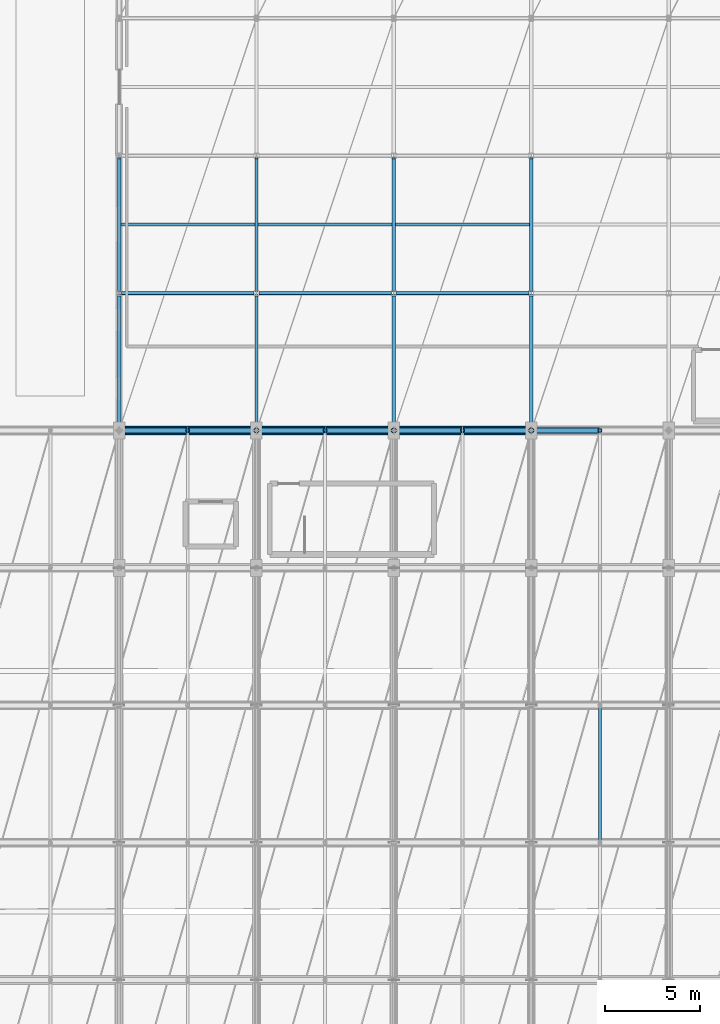
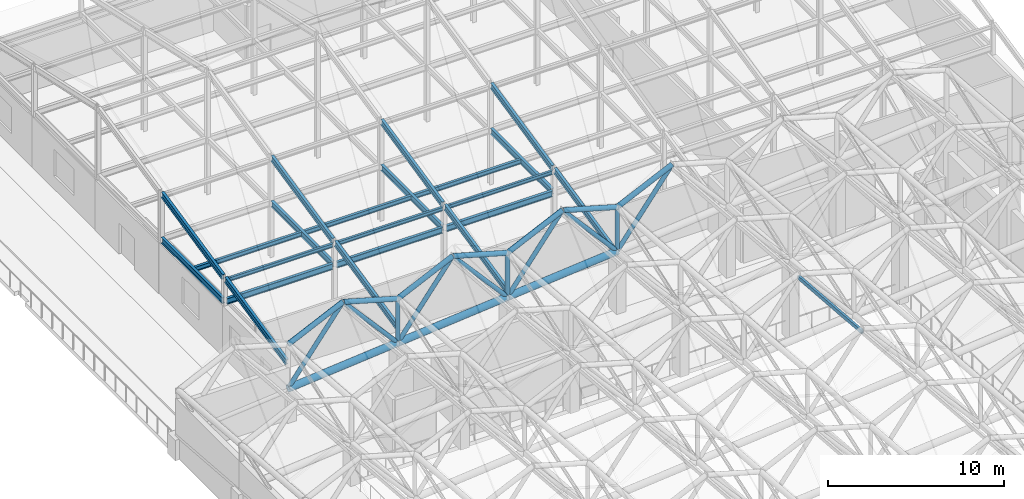
# One storey, part 25 of 113: 24 members, 18 beams.
"""IFC4 building model written with IfcOpenShell, lengths in metres."""

from ifc_helpers import new_model, si_unit, direction, frame, origin, origin_2d, place, context, subcontext, project, spatial, hollow_rectangle, hollow_circle, i_section, extrude, material, material_profile, profile_set, type_object, element, save


model = new_model("IFC4")

# Units and contexts
model_context = context("Model", 3, precision=1e-05, world=origin(), true_north=direction((0.0, 1.0)))
body_context = subcontext(model_context, "Body", "Model", "MODEL_VIEW")
ifc_project = project(units=[si_unit("LENGTHUNIT", "METRE"), si_unit("AREAUNIT", "SQUARE_METRE"), si_unit("VOLUMEUNIT", "CUBIC_METRE"), si_unit("PLANEANGLEUNIT", "RADIAN"), si_unit("MASSUNIT", "GRAM", prefix="KILO")], contexts=[model_context])

# Site, building, storey
site_placement = place(None, origin())
site = spatial("IfcSite", under=ifc_project, at=site_placement, CompositionType="ELEMENT")
building_placement = place(site_placement, origin())
building = spatial("IfcBuilding", under=site, at=building_placement, Name="Carrowvane Square Congress Hotel", CompositionType="ELEMENT")
storey_placement = place(building_placement, frame((0.0, 0.0, 15.0)))
storey = spatial("IfcBuildingStorey", under=building, at=storey_placement, Name="L03", CompositionType="ELEMENT", Elevation=15.0)

# Beams
ifc_material_1 = material(Name="Steel S355", Category="steel")
ifc_material_profile_1 = material_profile(ifc_material_1, i_section(OverallWidth=0.165771484375, OverallDepth=0.306640625, WebThickness=0.006591796875, FlangeThickness=0.01171875, FilletRadius=0.0087890625, at=origin_2d()), Name="UKB 305x165x46")
ifc_profile_set_1 = profile_set([ifc_material_profile_1], Name="Steel S355")
beam_type_1 = type_object("IfcBeamType", Name="BM-ST-UKB305", PredefinedType="JOIST", material=ifc_profile_set_1)
for number, where, z_axis, x_axis, name in (
    (1, (18.889404296875, 66.60009765625, 3.78662109375), (1.0, 0.0, 0.0), (0.0, 1.0, 0.0), "L04 secondary joist 2-3"),
    (2, (26.08935546875, 66.60009765625, 3.78662109375), (1.0, 0.0, 0.0), (0.0, 1.0, 0.0), "L04 secondary joist 3-4"),
    (3, (33.289306640625, 66.60009765625, 3.78662109375), (1.0, 0.0, 0.0), (0.0, 1.0, 0.0), "L04 secondary joist 4-5"),
):
    element("IfcBeam", number, at=place(storey_placement, frame(where, z_axis=z_axis, x_axis=x_axis)), inside=storey, type_object=beam_type_1, Name=name, PredefinedType="JOIST", context=body_context, shape_type="SweptSolid", body=[
        extrude(i_section(OverallWidth=0.165771484375, OverallDepth=0.306640625, WebThickness=0.006591796875, FlangeThickness=0.01171875, FilletRadius=0.0087890625, at=origin_2d()), origin(), (0.0, 0.0, 1.0), 7.021240234375),
    ])
ifc_material_2 = material(Name="Steel S355", Category="steel")
ifc_material_profile_2 = material_profile(ifc_material_2, i_section(OverallWidth=0.1787109375, OverallDepth=0.409423828125, WebThickness=0.0087890625, FlangeThickness=0.014404296875, FilletRadius=0.01025390625, at=origin_2d()), Name="UKB 406x178x67")
ifc_profile_set_2 = profile_set([ifc_material_profile_2], Name="Steel S355")
beam_type_2 = type_object("IfcBeamType", Name="BM-ST-UKB406", PredefinedType="BEAM", material=ifc_profile_set_2)
for number, where, z_axis, x_axis, name in (
    (4, (18.92822265625, 63.0, 3.7353515625), (1.0, 0.0, 0.0), (0.0, 1.0, 0.0), "L04 girder J/2-3"),
    (5, (26.128173828125, 63.0, 3.7353515625), (1.0, 0.0, 0.0), (0.0, 1.0, 0.0), "L04 girder J/3-4"),
    (6, (33.328125, 63.0, 3.7353515625), (1.0, 0.0, 0.0), (0.0, 1.0, 0.0), "L04 girder J/4-5"),
):
    element("IfcBeam", number, at=place(storey_placement, frame(where, z_axis=z_axis, x_axis=x_axis)), inside=storey, type_object=beam_type_2, Name=name, PredefinedType="BEAM", context=body_context, shape_type="SweptSolid", body=[
        extrude(i_section(OverallWidth=0.1787109375, OverallDepth=0.409423828125, WebThickness=0.0087890625, FlangeThickness=0.014404296875, FilletRadius=0.01025390625, at=origin_2d()), origin(), (0.0, 0.0, 1.0), 6.943603515625),
    ])
for number, where, z_axis, x_axis, name in (
    (7, (18.800048828125, 63.130126953125, 3.7353515625), (0.0, 1.0, 0.0), (-1.0, 0.0, 0.0), "L04 girder 2/J-K"),
    (8, (26.0, 63.130126953125, 3.7353515625), (0.0, 1.0, 0.0), (-1.0, 0.0, 0.0), "L04 girder 3/J-K"),
    (9, (33.199951171875, 63.130126953125, 3.7353515625), (0.0, 1.0, 0.0), (-1.0, 0.0, 0.0), "L04 girder 4/J-K"),
    (10, (40.39990234375, 63.130126953125, 3.7353515625), (0.0, 1.0, 0.0), (-1.0, 0.0, 0.0), "L04 girder 5/J-K"),
):
    element("IfcBeam", number, at=place(storey_placement, frame(where, z_axis=z_axis, x_axis=x_axis)), inside=storey, type_object=beam_type_2, Name=name, PredefinedType="BEAM", context=body_context, shape_type="SweptSolid", body=[
        extrude(i_section(OverallWidth=0.1787109375, OverallDepth=0.409423828125, WebThickness=0.0087890625, FlangeThickness=0.014404296875, FilletRadius=0.01025390625, at=origin_2d()), origin(), (0.0, 0.0, 1.0), 6.939697265625),
    ])
for number, where, z_axis, x_axis, name in (
    (11, (18.800048828125, 55.919921875, 3.840087890625), (0.0, 0.976671490173, 0.214738911899), (-1.0, 0.0, 0.0), "Spa lantern rafter 1.1"),
    (12, (18.800048828125, 63.1201171875, 5.370361328125), (0.0, 0.976664304443, 0.214771591292), (-1.0, 0.0, 0.0), "Spa lantern rafter 1.2"),
    (13, (26.0, 55.919921875, 3.840087890625), (0.0, 0.976671490173, 0.214738911899), (-1.0, 0.0, 0.0), "Spa lantern rafter 2.1"),
    (14, (26.0, 63.1201171875, 5.370361328125), (0.0, 0.976664304443, 0.214771591292), (-1.0, 0.0, 0.0), "Spa lantern rafter 2.2"),
    (15, (33.199951171875, 55.919921875, 3.840087890625), (0.0, 0.976671490173, 0.214738911899), (-1.0, 0.0, 0.0), "Spa lantern rafter 3.1"),
    (16, (33.199951171875, 63.1201171875, 5.370361328125), (0.0, 0.976664304443, 0.214771591292), (-1.0, 0.0, 0.0), "Spa lantern rafter 3.2"),
    (17, (40.39990234375, 55.919921875, 3.840087890625), (0.0, 0.976671490173, 0.214738911899), (-1.0, 0.0, 0.0), "Spa lantern rafter 4.1"),
    (18, (40.39990234375, 63.1201171875, 5.370361328125), (0.0, 0.976664304443, 0.214771591292), (-1.0, 0.0, 0.0), "Spa lantern rafter 4.2"),
):
    element("IfcBeam", number, at=place(storey_placement, frame(where, z_axis=z_axis, x_axis=x_axis)), inside=storey, type_object=beam_type_2, Name=name, PredefinedType="BEAM", context=body_context, shape_type="SweptSolid", body=[
        extrude(i_section(OverallWidth=0.1787109375, OverallDepth=0.409423828125, WebThickness=0.0087890625, FlangeThickness=0.014404296875, FilletRadius=0.01025390625, at=origin_2d()), origin(), (0.0, 0.0, 1.0), 7.126220703125),
    ])

# Members
ifc_material_3 = material(Name="Steel S355", Category="steel")
ifc_material_profile_3 = material_profile(ifc_material_3, hollow_rectangle(XDim=0.14990234375, YDim=0.25, WallThickness=0.012451171875, at=origin_2d()), Name="RHS 250x150x12.5")
ifc_profile_set_3 = profile_set([ifc_material_profile_3], Name="Steel S355")
member_type_1 = type_object("IfcMemberType", Name="MEM-PR-RHS250", PredefinedType="PURLIN", material=ifc_profile_set_3)
member_1_placement = place(storey_placement, frame((44.0, 34.199951171875, 10.281494140625), z_axis=(0.0, 0.996864207606, -0.079131230206), x_axis=(-1.0, 0.0, 0.0)))
element("IfcMember", 19, at=member_1_placement, inside=storey, type_object=member_type_1, Name="Space-frame ridge purlin 481", PredefinedType="PURLIN", context=body_context, shape_type="SweptSolid", body=[
    extrude(hollow_rectangle(XDim=0.14990234375, YDim=0.25, WallThickness=0.012451171875, at=origin_2d()), origin(), (0.0, 0.0, 1.0), 7.22265625),
])
ifc_material_4 = material(Name="Steel S355", Category="steel")
ifc_material_profile_4 = material_profile(ifc_material_4, i_section(OverallWidth=0.146484375, OverallDepth=0.256103515625, WebThickness=0.00634765625, FlangeThickness=0.010986328125, FilletRadius=0.007568359375, at=origin_2d()), Name="UKB 254x146x37")
ifc_profile_set_4 = profile_set([ifc_material_profile_4], Name="Steel S355")
member_type_2 = type_object("IfcMemberType", Name="MEM-PR-UKB254", PredefinedType="PURLIN", material=ifc_profile_set_4)
for number, where, z_axis, x_axis, name in (
    (20, (18.919921875, 63.0, 5.1904296875), (1.0, 0.0, 0.0), (0.0, 1.0, 0.0), "Spa roof purlin 1.1"),
    (21, (26.1201171875, 63.0, 5.1904296875), (1.0, 0.0, 0.0), (0.0, 1.0, 0.0), "Spa roof purlin 1.2"),
    (22, (33.320068359375, 63.0, 5.1904296875), (1.0, 0.0, 0.0), (0.0, 1.0, 0.0), "Spa roof purlin 1.3"),
):
    element("IfcMember", number, at=place(storey_placement, frame(where, z_axis=z_axis, x_axis=x_axis)), inside=storey, type_object=member_type_2, Name=name, PredefinedType="PURLIN", context=body_context, shape_type="SweptSolid", body=[
        extrude(i_section(OverallWidth=0.146484375, OverallDepth=0.256103515625, WebThickness=0.00634765625, FlangeThickness=0.010986328125, FilletRadius=0.007568359375, at=origin_2d()), origin(), (0.0, 0.0, 1.0), 6.9599609375),
    ])
ifc_material_5 = material(Name="Steel S355", Category="steel")
ifc_material_profile_5 = material_profile(ifc_material_5, hollow_circle(Radius=0.136474609375, WallThickness=0.01611328125, at=origin_2d()), Name="CHS 273.0x16")
ifc_profile_set_5 = profile_set([ifc_material_profile_5], Name="Steel S355")
member_type_3 = type_object("IfcMemberType", Name="MEM-ST-CHS273", PredefinedType="STRUT", material=ifc_profile_set_5)
member_2_placement = place(storey_placement, frame((26.0, 55.800048828125, 2.734375), z_axis=(0.0, 0.0, 1.0), x_axis=(1.0, 0.0, 0.0)))
element("IfcMember", 23, at=member_2_placement, inside=storey, type_object=member_type_3, Name="Space-frame vertical post 521", PredefinedType="STRUT", context=body_context, shape_type="SweptSolid", body=[
    extrude(hollow_circle(Radius=0.136474609375, WallThickness=0.01611328125, at=origin_2d()), origin(), (0.0, 0.0, 1.0), 3.0498046875),
])
for number, where, z_axis, x_axis, name in (
    (24, (33.199951171875, 55.800048828125, 3.391357421875), (0.0, 0.0, 1.0), (1.0, 0.0, 0.0), "Space-frame vertical post 529"),
    (25, (40.39990234375, 55.800048828125, 4.048583984375), (0.0, 0.0, 1.0), (1.0, 0.0, 0.0), "Space-frame vertical post 537"),
):
    element("IfcMember", number, at=place(storey_placement, frame(where, z_axis=z_axis, x_axis=x_axis)), inside=storey, type_object=member_type_3, Name=name, PredefinedType="STRUT", context=body_context, shape_type="SweptSolid", body=[
        extrude(hollow_circle(Radius=0.136474609375, WallThickness=0.01611328125, at=origin_2d()), origin(), (0.0, 0.0, 1.0), 3.050048828125),
    ])
ifc_material_6 = material(Name="Steel S355", Category="steel")
ifc_material_profile_6 = material_profile(ifc_material_6, hollow_circle(Radius=0.161865234375, WallThickness=0.01611328125, at=origin_2d()), Name="CHS 323.9x16")
ifc_profile_set_6 = profile_set([ifc_material_profile_6], Name="Steel S355")
member_type_4 = type_object("IfcMemberType", Name="MEM-TC-CHS324", PredefinedType="CHORD", material=ifc_profile_set_6)
member_3_placement = place(storey_placement, frame((18.800048828125, 55.800048828125, 5.127197265625), z_axis=(0.905357886231, 0.0, 0.424649382243), x_axis=(0.0, 1.0, 0.0)))
element("IfcMember", 26, at=member_3_placement, inside=storey, type_object=member_type_4, Name="Space-frame folded top chord 420", PredefinedType="CHORD", context=body_context, shape_type="SweptSolid", body=[
    extrude(hollow_circle(Radius=0.161865234375, WallThickness=0.01611328125, at=origin_2d()), origin(), (0.0, 0.0, 1.0), 3.97607421875),
])
member_4_placement = place(storey_placement, frame((22.39990234375, 55.800048828125, 6.815673828125), z_axis=(0.961319496164, 0.0, -0.275435702651), x_axis=(0.0, 1.0, 0.0)))
element("IfcMember", 27, at=member_4_placement, inside=storey, type_object=member_type_4, Name="Space-frame folded top chord 421", PredefinedType="CHORD", context=body_context, shape_type="SweptSolid", body=[
    extrude(hollow_circle(Radius=0.161865234375, WallThickness=0.01611328125, at=origin_2d()), origin(), (0.0, 0.0, 1.0), 3.744873046875),
])
member_5_placement = place(storey_placement, frame((26.0, 55.800048828125, 5.7841796875), z_axis=(0.905345352914, 0.0, 0.424676102408), x_axis=(0.0, 1.0, 0.0)))
element("IfcMember", 28, at=member_5_placement, inside=storey, type_object=member_type_4, Name="Space-frame folded top chord 425", PredefinedType="CHORD", context=body_context, shape_type="SweptSolid", body=[
    extrude(hollow_circle(Radius=0.161865234375, WallThickness=0.01611328125, at=origin_2d()), origin(), (0.0, 0.0, 1.0), 3.9765625),
])
member_6_placement = place(storey_placement, frame((29.60009765625, 55.800048828125, 7.472900390625), z_axis=(0.961314549928, 0.0, -0.275452965307), x_axis=(0.0, 1.0, 0.0)))
element("IfcMember", 29, at=member_6_placement, inside=storey, type_object=member_type_4, Name="Space-frame folded top chord 426", PredefinedType="CHORD", context=body_context, shape_type="SweptSolid", body=[
    extrude(hollow_circle(Radius=0.161865234375, WallThickness=0.01611328125, at=origin_2d()), origin(), (0.0, 0.0, 1.0), 3.74462890625),
])
member_7_placement = place(storey_placement, frame((33.199951171875, 55.800048828125, 6.44140625), z_axis=(0.905368957574, 0.0, 0.424625777199), x_axis=(0.0, 1.0, 0.0)))
element("IfcMember", 30, at=member_7_placement, inside=storey, type_object=member_type_4, Name="Space-frame folded top chord 430", PredefinedType="CHORD", context=body_context, shape_type="SweptSolid", body=[
    extrude(hollow_circle(Radius=0.161865234375, WallThickness=0.01611328125, at=origin_2d()), origin(), (0.0, 0.0, 1.0), 3.976318359375),
])
member_8_placement = place(storey_placement, frame((36.800048828125, 55.800048828125, 8.1298828125), z_axis=(0.961331812043, 0.0, -0.275392714416), x_axis=(0.0, 1.0, 0.0)))
element("IfcMember", 31, at=member_8_placement, inside=storey, type_object=member_type_4, Name="Space-frame folded top chord 431", PredefinedType="CHORD", context=body_context, shape_type="SweptSolid", body=[
    extrude(hollow_circle(Radius=0.161865234375, WallThickness=0.01611328125, at=origin_2d()), origin(), (0.0, 0.0, 1.0), 3.74462890625),
])
member_9_placement = place(storey_placement, frame((40.39990234375, 55.800048828125, 7.0986328125), z_axis=(0.905368957574, 0.0, 0.424625777199), x_axis=(0.0, 1.0, 0.0)))
element("IfcMember", 32, at=member_9_placement, inside=storey, type_object=member_type_4, Name="Space-frame folded top chord 435", PredefinedType="CHORD", context=body_context, shape_type="SweptSolid", body=[
    extrude(hollow_circle(Radius=0.161865234375, WallThickness=0.01611328125, at=origin_2d()), origin(), (0.0, 0.0, 1.0), 3.976318359375),
])
ifc_material_7 = material(Name="Steel S355", Category="steel")
ifc_material_profile_7 = material_profile(ifc_material_7, hollow_circle(Radius=0.228515625, WallThickness=0.02490234375, at=origin_2d()), Name="CHS 457.0x25")
ifc_profile_set_7 = profile_set([ifc_material_profile_7], Name="Steel S355")
member_type_5 = type_object("IfcMemberType", Name="MEM-TC-CHS457", PredefinedType="CHORD", material=ifc_profile_set_7)
for number, where, z_axis, x_axis, name in (
    (33, (18.800048828125, 55.800048828125, 2.0771484375), (0.995859646859, 0.0, 0.090904145988), (0.0, 1.0, 0.0), "Space-frame cross bottom chord 419"),
    (34, (26.0, 55.800048828125, 2.734375), (0.99586270327, 0.0, 0.090870656624), (0.0, 1.0, 0.0), "Space-frame cross bottom chord 424"),
    (35, (33.199951171875, 55.800048828125, 3.391357421875), (0.995859646859, 0.0, 0.090904145988), (0.0, 1.0, 0.0), "Space-frame cross bottom chord 429"),
):
    element("IfcMember", number, at=place(storey_placement, frame(where, z_axis=z_axis, x_axis=x_axis)), inside=storey, type_object=member_type_5, Name=name, PredefinedType="CHORD", context=body_context, shape_type="SweptSolid", body=[
        extrude(hollow_circle(Radius=0.228515625, WallThickness=0.02490234375, at=origin_2d()), origin(), (0.0, 0.0, 1.0), 7.22998046875),
    ])
ifc_material_8 = material(Name="Steel S355", Category="steel")
ifc_material_profile_8 = material_profile(ifc_material_8, hollow_circle(Radius=0.136474609375, WallThickness=0.01611328125, at=origin_2d()), Name="CHS 273.0x16")
ifc_profile_set_8 = profile_set([ifc_material_profile_8], Name="Steel S355")
member_type_6 = type_object("IfcMemberType", Name="MEM-TD-CHS273", PredefinedType="BRACE", material=ifc_profile_set_8)
member_10_placement = place(storey_placement, frame((18.800048828125, 55.800048828125, 2.0771484375), z_axis=(0.604931384673, 0.0, 0.796277602246), x_axis=(0.0, 1.0, 0.0)))
element("IfcMember", 36, at=member_10_placement, inside=storey, type_object=member_type_6, Name="Space-frame space diagonal 422", PredefinedType="BRACE", context=body_context, shape_type="SweptSolid", body=[
    extrude(hollow_circle(Radius=0.136474609375, WallThickness=0.01611328125, at=origin_2d()), origin(), (0.0, 0.0, 1.0), 5.950927734375),
])
member_11_placement = place(storey_placement, frame((26.0, 55.800048828125, 2.734375), z_axis=(-0.66151331907, 0.0, 0.749933416173), x_axis=(0.0, -1.0, 0.0)))
element("IfcMember", 37, at=member_11_placement, inside=storey, type_object=member_type_6, Name="Space-frame space diagonal 423", PredefinedType="BRACE", context=body_context, shape_type="SweptSolid", body=[
    extrude(hollow_circle(Radius=0.136474609375, WallThickness=0.01611328125, at=origin_2d()), origin(), (0.0, 0.0, 1.0), 5.442138671875),
])
member_12_placement = place(storey_placement, frame((26.0, 55.800048828125, 2.734375), z_axis=(0.604957396698, 0.0, 0.796257840263), x_axis=(0.0, 1.0, 0.0)))
element("IfcMember", 38, at=member_12_placement, inside=storey, type_object=member_type_6, Name="Space-frame space diagonal 427", PredefinedType="BRACE", context=body_context, shape_type="SweptSolid", body=[
    extrude(hollow_circle(Radius=0.136474609375, WallThickness=0.01611328125, at=origin_2d()), origin(), (0.0, 0.0, 1.0), 5.950927734375),
])
member_13_placement = place(storey_placement, frame((33.199951171875, 55.800048828125, 3.391357421875), z_axis=(-0.661465833466, 0.0, 0.749975300365), x_axis=(0.0, -1.0, 0.0)))
element("IfcMember", 39, at=member_13_placement, inside=storey, type_object=member_type_6, Name="Space-frame space diagonal 428", PredefinedType="BRACE", context=body_context, shape_type="SweptSolid", body=[
    extrude(hollow_circle(Radius=0.136474609375, WallThickness=0.01611328125, at=origin_2d()), origin(), (0.0, 0.0, 1.0), 5.442138671875),
])
member_14_placement = place(storey_placement, frame((33.199951171875, 55.800048828125, 3.391357421875), z_axis=(0.604957396698, 0.0, 0.796257840263), x_axis=(0.0, 1.0, 0.0)))
element("IfcMember", 40, at=member_14_placement, inside=storey, type_object=member_type_6, Name="Space-frame space diagonal 432", PredefinedType="BRACE", context=body_context, shape_type="SweptSolid", body=[
    extrude(hollow_circle(Radius=0.136474609375, WallThickness=0.01611328125, at=origin_2d()), origin(), (0.0, 0.0, 1.0), 5.950927734375),
])
member_15_placement = place(storey_placement, frame((40.39990234375, 55.800048828125, 4.048583984375), z_axis=(-0.661488088381, 0.0, 0.74995567131), x_axis=(0.0, -1.0, 0.0)))
element("IfcMember", 41, at=member_15_placement, inside=storey, type_object=member_type_6, Name="Space-frame space diagonal 433", PredefinedType="BRACE", context=body_context, shape_type="SweptSolid", body=[
    extrude(hollow_circle(Radius=0.136474609375, WallThickness=0.01611328125, at=origin_2d()), origin(), (0.0, 0.0, 1.0), 5.442138671875),
])
member_16_placement = place(storey_placement, frame((40.39990234375, 55.800048828125, 4.048583984375), z_axis=(0.604957396698, 0.0, 0.796257840263), x_axis=(0.0, 1.0, 0.0)))
element("IfcMember", 42, at=member_16_placement, inside=storey, type_object=member_type_6, Name="Space-frame space diagonal 437", PredefinedType="BRACE", context=body_context, shape_type="SweptSolid", body=[
    extrude(hollow_circle(Radius=0.136474609375, WallThickness=0.01611328125, at=origin_2d()), origin(), (0.0, 0.0, 1.0), 5.950927734375),
])

save(model, "model.ifc")
